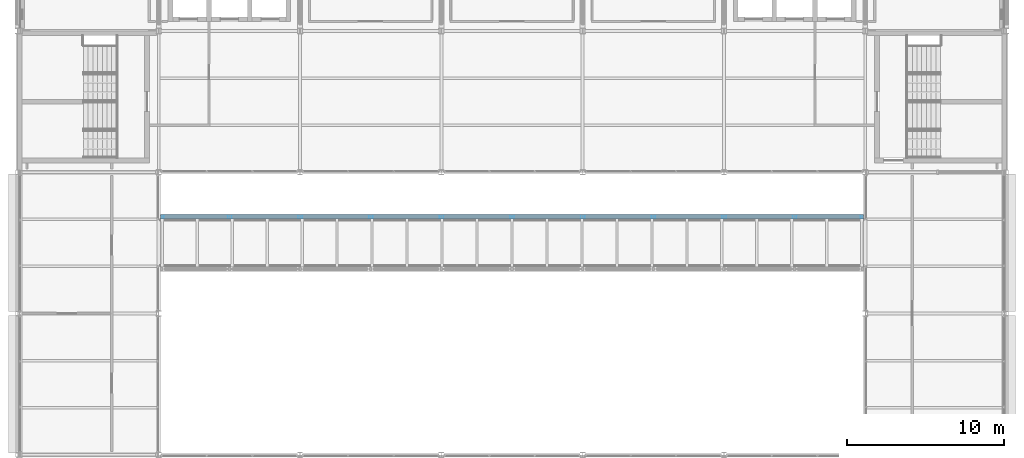
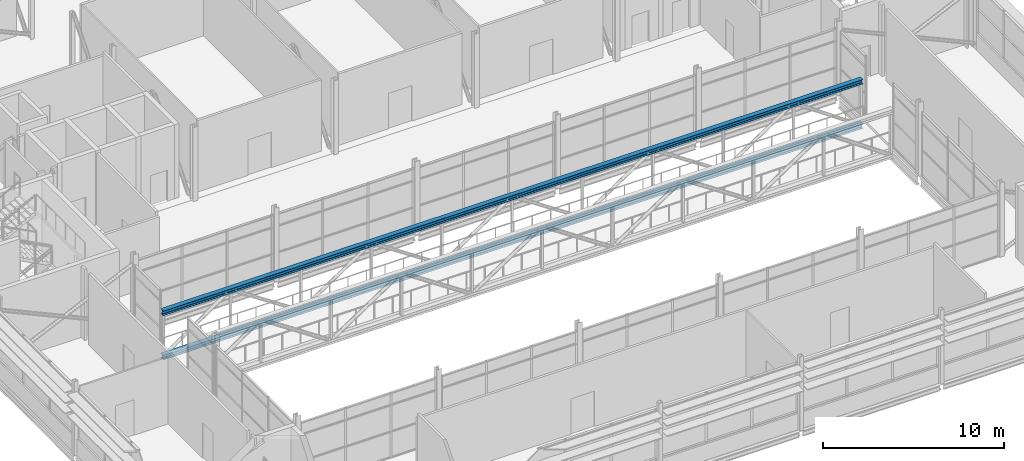
# One storey, part 31 of 94: 2 beams.
"""IFC4 building model written with IfcOpenShell, lengths in metres."""

from ifc_helpers import new_model, si_unit, direction, frame, origin, origin_2d, place, context, subcontext, project, spatial, i_section, extrude, material, material_profile, profile_set, type_object, element, save


model = new_model("IFC4")

# Units and contexts
model_context = context("Model", 3, precision=1e-05, world=origin(), true_north=direction((0.0, 1.0)))
body_context = subcontext(model_context, "Body", "Model", "MODEL_VIEW")
ifc_project = project(units=[si_unit("LENGTHUNIT", "METRE"), si_unit("AREAUNIT", "SQUARE_METRE"), si_unit("VOLUMEUNIT", "CUBIC_METRE"), si_unit("PLANEANGLEUNIT", "RADIAN"), si_unit("MASSUNIT", "GRAM", prefix="KILO")], contexts=[model_context])

# Site, building, storey
site_placement = place(None, origin())
site = spatial("IfcSite", under=ifc_project, at=site_placement, CompositionType="ELEMENT")
building_placement = place(site_placement, origin())
building = spatial("IfcBuilding", under=site, at=building_placement, Name="Shorebreak Coast Museum", CompositionType="ELEMENT")
storey_placement = place(building_placement, frame((0.0, 0.0, 31.0)))
storey = spatial("IfcBuildingStorey", under=building, at=storey_placement, Name="L05", CompositionType="ELEMENT", Elevation=31.0)

# Beams
ifc_material = material(Name="Steel Grade 300", Category="steel")
ifc_material_profile = material_profile(ifc_material, i_section(OverallWidth=0.304931640625, OverallDepth=0.30810546875, WebThickness=0.010009765625, FlangeThickness=0.015380859375, FilletRadius=0.0166015625, at=origin_2d()), Name="310UC96.8")
ifc_profile_set = profile_set([ifc_material_profile], Name="Steel Grade 300")
beam_type = type_object("IfcBeamType", Name="Atrium bridge truss chord 310UC96.8", PredefinedType="BEAM", material=ifc_profile_set)
for number, where, z_axis, x_axis, name in (
    (1, (63.114501953125, 78.16259765625, -0.3291015625), (1.0, 0.0, 0.0), (0.0, 1.0, 0.0), "Atrium bridge truss BR3 side B chord C01"),
    (2, (63.114501953125, 78.16259765625, 2.6708984375), (1.0, 0.0, 0.0), (0.0, 1.0, 0.0), "Atrium bridge truss BR3 side B chord C02"),
):
    element("IfcBeam", number, at=place(storey_placement, frame(where, z_axis=z_axis, x_axis=x_axis)), inside=storey, type_object=beam_type, Name=name, PredefinedType="BEAM", context=body_context, shape_type="SweptSolid", body=[
        extrude(i_section(OverallWidth=0.304931640625, OverallDepth=0.30810546875, WebThickness=0.010009765625, FlangeThickness=0.015380859375, FilletRadius=0.0166015625, at=origin_2d()), origin(), (0.0, 0.0, 1.0), 44.77099609375),
    ])

save(model, "model.ifc")
